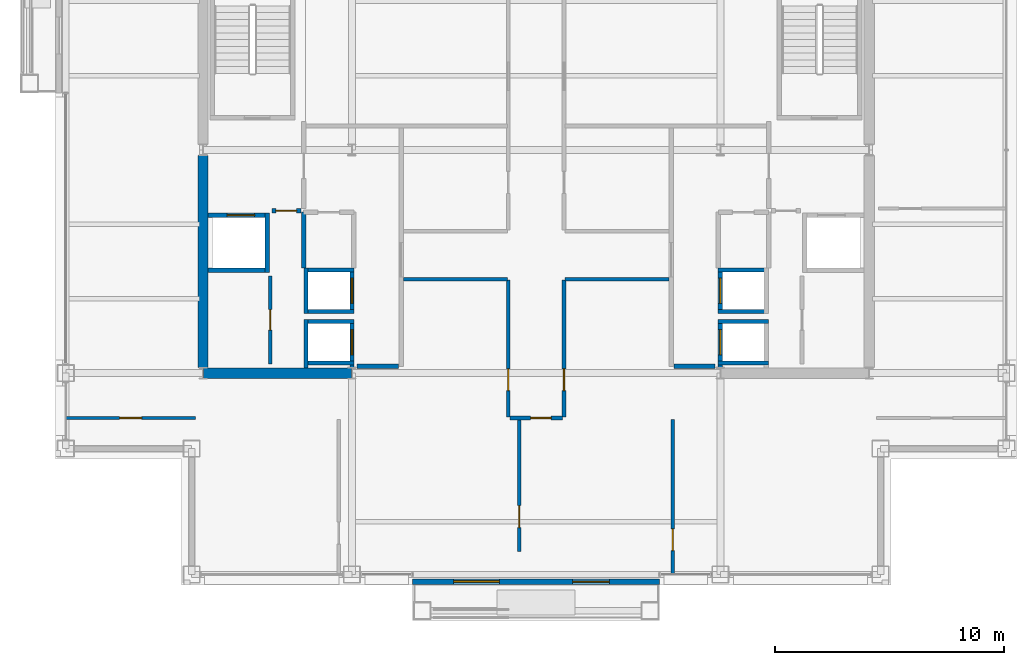
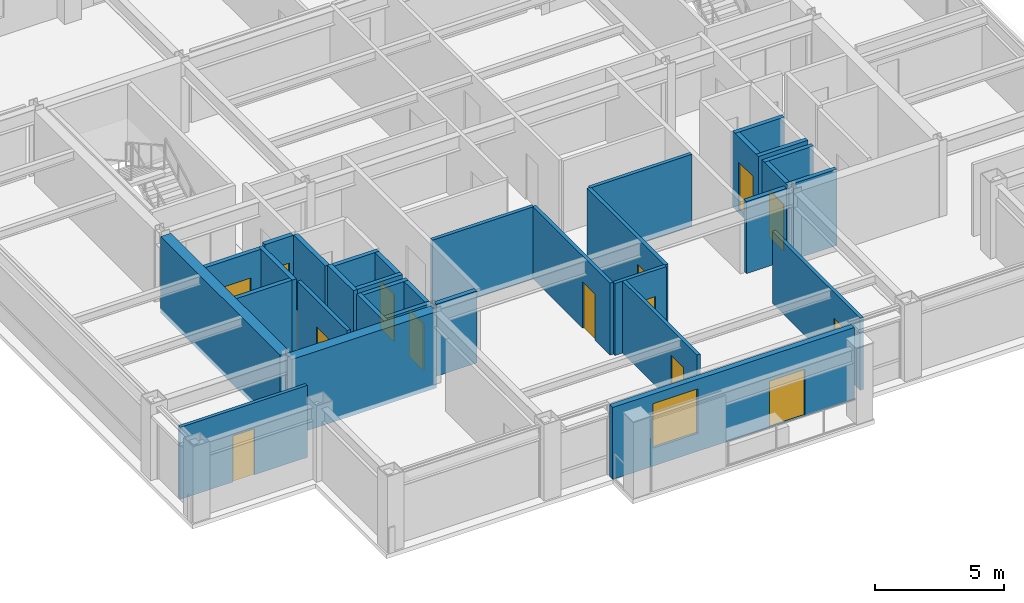
# One storey, part 23 of 27: 33 walls, 14 doors, 1 window, 15 openings.
"""IFC4 building model written with IfcOpenShell, lengths in metres."""

from ifc_helpers import new_model, si_unit, direction, frame, frame_2d, origin, place, context, subcontext, project, spatial, rectangle, extrude, material, layer, layer_set, type_object, element, fill, save


model = new_model("IFC4")

# Units and contexts
model_context = context("Model", 3, precision=1e-05, world=origin(), true_north=direction((0.0, 1.0)))
body_context = subcontext(model_context, "Body", "Model", "MODEL_VIEW")
ifc_project = project(units=[si_unit("LENGTHUNIT", "METRE"), si_unit("AREAUNIT", "SQUARE_METRE"), si_unit("VOLUMEUNIT", "CUBIC_METRE"), si_unit("PLANEANGLEUNIT", "RADIAN"), si_unit("MASSUNIT", "GRAM", prefix="KILO")], contexts=[model_context])

# Site, building, storey
site_placement = place(None, origin())
site = spatial("IfcSite", under=ifc_project, at=site_placement, CompositionType="ELEMENT")
building_placement = place(site_placement, origin())
building = spatial("IfcBuilding", under=site, at=building_placement, Name="Brelmoor Portico Tower", CompositionType="ELEMENT")
storey_placement = place(building_placement, frame((0.0, 0.0, 158.699951171875)))
storey = spatial("IfcBuildingStorey", under=building, at=storey_placement, Name="L41", CompositionType="ELEMENT", Elevation=158.699951171875)

# Walls
ifc_material_1 = material(Name="Concrete C50", Category="concrete")
ifc_layer_1 = layer(ifc_material_1, 0.449951171875)
ifc_layer_set_1 = layer_set([ifc_layer_1], Name="Concrete C50")
wall_type_1 = type_object("IfcWallType", Name="WL-CORE-450", PredefinedType="SHEAR", material=ifc_layer_set_1)
wall_1_placement = place(storey_placement, frame((-14.530029296875, -9.75, -0.199951171875), z_axis=(0.0, 0.0, 1.0), x_axis=(1.0, 0.0, 0.0)))
element("IfcWall", 1, at=wall_1_placement, inside=storey, type_object=wall_type_1, Name="L41 WC South Shear Wall", PredefinedType="SHEAR", context=body_context, shape_type="SweptSolid", body=[
    extrude(rectangle(XDim=6.4599609375, YDim=0.449951171875, at=frame_2d((3.22998046875, 0.0))), origin(), (0.0, 0.0, 1.0), 3.60009765625),
])
wall_2_placement = place(storey_placement, frame((-14.550048828125, -9.5, -0.199951171875), z_axis=(0.0, 0.0, 1.0), x_axis=(0.0, 1.0, 0.0)))
element("IfcWall", 2, at=wall_2_placement, inside=storey, type_object=wall_type_1, Name="L41 WC Outer South Shear Wall", PredefinedType="SHEAR", context=body_context, shape_type="SweptSolid", body=[
    extrude(rectangle(XDim=9.25, YDim=0.449951171875, at=frame_2d((4.625, 0.0))), origin(), (0.0, 0.0, 1.0), 3.60009765625),
])

# Wall, openings, door, window
ifc_material_2 = material(Name="Precast Concrete C40 Insulated Facade Wall", Category="concrete")
ifc_layer_2 = layer(ifc_material_2, 0.25)
ifc_layer_set_2 = layer_set([ifc_layer_2], Name="Precast Concrete C40 Insulated Facade Wall")
wall_type_2 = type_object("IfcWallType", Name="WL-EXT-250", PredefinedType="STANDARD", material=ifc_layer_set_2)
wall_3_placement = place(storey_placement, frame((-5.39990234375, -18.860107421875, 0.0), z_axis=(0.0, 0.0, 1.0), x_axis=(1.0, 0.0, 0.0)))
wall_3 = element("IfcWall", 3, at=wall_3_placement, inside=storey, type_object=wall_type_2, Name="L41 Loggia Threshold Wall S-1", PredefinedType="STANDARD", context=body_context, shape_type="SweptSolid", body=[
    extrude(rectangle(XDim=10.7998046875, YDim=0.25, at=frame_2d((5.39990234375, 0.0))), origin(), (0.0, 0.0, 1.0), 3.400146484375),
])
opening_1_placement = place(wall_3_placement, frame((7.0, 0.0, 0.0)))
opening_1 = element("IfcOpeningElement", 4, at=opening_1_placement, cuts=wall_3, Name="Opening D-TB1", PredefinedType="OPENING", context=body_context, shape_type="SweptSolid", body=[
    extrude(rectangle(XDim=1.60009765625, YDim=2.199951171875, at=frame_2d((0.800048828125, 1.10009765625))), frame((0.0, 0.135009765625, 0.0), z_axis=(0.0, -1.0, 0.0), x_axis=(1.0, 0.0, 0.0)), (0.0, 0.0, 1.0), 0.27001953125),
])
opening_2_placement = place(wall_3_placement, frame((1.800048828125, 0.0, 0.85009765625)))
opening_2 = element("IfcOpeningElement", 5, at=opening_2_placement, cuts=wall_3, Name="Opening W-03", PredefinedType="OPENING", context=body_context, shape_type="SweptSolid", body=[
    extrude(rectangle(XDim=2.0, YDim=2.10009765625, at=frame_2d((1.0, 1.050048828125))), frame((0.0, 0.135009765625, 0.0), z_axis=(0.0, -1.0, 0.0), x_axis=(1.0, 0.0, 0.0)), (0.0, 0.0, 1.0), 0.27001953125),
])
ifc_material_3 = material(Name="Double-Leaf Thermally Broken Terrace Door", Category="aluminium")
door_type_1 = type_object("IfcDoorType", Name="DR-BALCONY-1600", OperationType="NOTDEFINED", PredefinedType="DOOR", material=ifc_material_3)
door_1_placement = place(opening_1_placement, origin())
door_1 = element("IfcDoor", 6, at=door_1_placement, inside=storey, type_object=door_type_1, Name="D-1772 L41 Tree Balcony Double Door S", OperationType="DOUBLE_DOOR_SINGLE_SWING", OverallHeight=2.199951171875, OverallWidth=1.60009765625, PredefinedType="DOOR", context=body_context, shape_type="SweptSolid", body=[
    extrude(rectangle(XDim=1.60009765625, YDim=2.199951171875, at=frame_2d((0.800048828125, 1.10009765625))), frame((0.0, 0.02490234375, 0.0), z_axis=(0.0, -1.0, 0.0), x_axis=(1.0, 0.0, 0.0)), (0.0, 0.0, 1.0), 0.050048828125),
])
fill(opening_1, door_1)
ifc_material_4 = material(Name="Thermally Broken Aluminium Low-E Window", Category="aluminium")
window_type = type_object("IfcWindowType", Name="WN-LOGGIA-2000x2100", PartitioningType="SINGLE_PANEL", PredefinedType="WINDOW", material=ifc_material_4)
window_placement = place(opening_2_placement, origin())
window = element("IfcWindow", 7, at=window_placement, inside=storey, type_object=window_type, Name="L41 Loggia Window S", OverallHeight=2.10009765625, OverallWidth=2.0, PartitioningType="SINGLE_PANEL", PredefinedType="WINDOW", context=body_context, shape_type="SweptSolid", body=[
    extrude(rectangle(XDim=2.0, YDim=2.10009765625, at=frame_2d((1.0, 1.050048828125))), frame((0.0, 0.030029296875, 0.0), z_axis=(0.0, -1.0, 0.0), x_axis=(1.0, 0.0, 0.0)), (0.0, 0.0, 1.0), 0.06005859375),
])
fill(opening_2, window)

# Wall, opening, door
ifc_material_5 = material(Name="Wet-Area Moisture-Resistant Partition", Category="gypsum")
ifc_layer_3 = layer(ifc_material_5, 0.14990234375)
ifc_layer_set_3 = layer_set([ifc_layer_3], Name="Wet-Area Moisture-Resistant Partition")
wall_type_3 = type_object("IfcWallType", Name="WL-PART-150", PredefinedType="PARTITIONING", material=ifc_layer_set_3)
wall_4_placement = place(storey_placement, frame((-0.72998046875, -17.550048828125, 0.0), z_axis=(0.0, 0.0, 1.0), x_axis=(0.0, 1.0, 0.0)))
wall_4 = element("IfcWall", 8, at=wall_4_placement, inside=storey, type_object=wall_type_3, Name="L41 South Suite Partition 2", PredefinedType="PARTITIONING", context=body_context, shape_type="SweptSolid", body=[
    extrude(rectangle(XDim=5.780029296875, YDim=0.14990234375, at=frame_2d((2.89013671875, 0.0))), origin(), (0.0, 0.0, 1.0), 3.400146484375),
])
opening_3_placement = place(wall_4_placement, frame((1.050048828125, 0.0, 0.0)))
opening_3 = element("IfcOpeningElement", 9, at=opening_3_placement, cuts=wall_4, Name="Opening D-IN2", PredefinedType="OPENING", context=body_context, shape_type="SweptSolid", body=[
    extrude(rectangle(XDim=0.9599609375, YDim=2.179931640625, at=frame_2d((0.47998046875, 1.08984375))), frame((0.0, 0.0849609375, 0.0), z_axis=(0.0, -1.0, 0.0), x_axis=(1.0, 0.0, 0.0)), (0.0, 0.0, 1.0), 0.169921875),
])
ifc_material_6 = material(Name="Lacquered Timber Suite Door", Category="wood")
door_type_2 = type_object("IfcDoorType", Name="DR-INT-950", OperationType="NOTDEFINED", PredefinedType="DOOR", material=ifc_material_6)
door_2_placement = place(opening_3_placement, origin())
door_2 = element("IfcDoor", 10, at=door_2_placement, inside=storey, type_object=door_type_2, Name="D-1765 L41 South Suite Connecting Door 2", OperationType="SINGLE_SWING_RIGHT", OverallHeight=2.179931640625, OverallWidth=0.9599609375, PredefinedType="DOOR", context=body_context, shape_type="SweptSolid", body=[
    extrude(rectangle(XDim=0.9599609375, YDim=2.179931640625, at=frame_2d((0.47998046875, 1.08984375))), frame((0.0, 0.02490234375, 0.0), z_axis=(0.0, -1.0, 0.0), x_axis=(1.0, 0.0, 0.0)), (0.0, 0.0, 1.0), 0.050048828125),
])
fill(opening_3, door_2)

wall_5_placement = place(storey_placement, frame((5.969970703125, -18.56005859375, 0.0), z_axis=(0.0, 0.0, 1.0), x_axis=(0.0, 1.0, 0.0)))
wall_5 = element("IfcWall", 11, at=wall_5_placement, inside=storey, type_object=wall_type_3, Name="L41 South Suite Partition 3", PredefinedType="PARTITIONING", context=body_context, shape_type="SweptSolid", body=[
    extrude(rectangle(XDim=6.7900390625, YDim=0.14990234375, at=frame_2d((3.39501953125, 0.0))), origin(), (0.0, 0.0, 1.0), 3.400146484375),
])
opening_4_placement = place(wall_5_placement, frame((1.050048828125, 0.0, 0.0)))
opening_4 = element("IfcOpeningElement", 12, at=opening_4_placement, cuts=wall_5, Name="Opening D-IN2", PredefinedType="OPENING", context=body_context, shape_type="SweptSolid", body=[
    extrude(rectangle(XDim=0.9599609375, YDim=2.179931640625, at=frame_2d((0.47998046875, 1.08984375))), frame((0.0, 0.0849609375, 0.0), z_axis=(0.0, -1.0, 0.0), x_axis=(1.0, 0.0, 0.0)), (0.0, 0.0, 1.0), 0.169921875),
])
door_3_placement = place(opening_4_placement, origin())
door_3 = element("IfcDoor", 13, at=door_3_placement, inside=storey, type_object=door_type_2, Name="D-1766 L41 South Suite Connecting Door 3", OperationType="SINGLE_SWING_LEFT", OverallHeight=2.179931640625, OverallWidth=0.9599609375, PredefinedType="DOOR", context=body_context, shape_type="SweptSolid", body=[
    extrude(rectangle(XDim=0.9599609375, YDim=2.179931640625, at=frame_2d((0.47998046875, 1.08984375))), frame((0.0, 0.02490234375, 0.0), z_axis=(0.0, -1.0, 0.0), x_axis=(1.0, 0.0, 0.0)), (0.0, 0.0, 1.0), 0.050048828125),
])
fill(opening_4, door_3)

wall_6_placement = place(storey_placement, frame((-20.56005859375, -11.7099609375, 0.0), z_axis=(0.0, 0.0, 1.0), x_axis=(1.0, 0.0, 0.0)))
wall_6 = element("IfcWall", 14, at=wall_6_placement, inside=storey, type_object=wall_type_3, Name="L41 South Wing Closure WL", PredefinedType="PARTITIONING", context=body_context, shape_type="SweptSolid", body=[
    extrude(rectangle(XDim=5.68017578125, YDim=0.14990234375, at=frame_2d((2.840087890625, 0.0))), origin(), (0.0, 0.0, 1.0), 3.400146484375),
])
opening_5_placement = place(wall_6_placement, frame((2.360107421875, 0.0, 0.0)))
opening_5 = element("IfcOpeningElement", 15, at=opening_5_placement, cuts=wall_6, Name="Opening D-IN2", PredefinedType="OPENING", context=body_context, shape_type="SweptSolid", body=[
    extrude(rectangle(XDim=0.9599609375, YDim=2.179931640625, at=frame_2d((0.47998046875, 1.08984375))), frame((0.0, 0.0849609375, 0.0), z_axis=(0.0, -1.0, 0.0), x_axis=(1.0, 0.0, 0.0)), (0.0, 0.0, 1.0), 0.169921875),
])
door_4_placement = place(opening_5_placement, origin())
door_4 = element("IfcDoor", 16, at=door_4_placement, inside=storey, type_object=door_type_2, Name="D-1770 L41 WL Wing South Suite Door", OperationType="SINGLE_SWING_LEFT", OverallHeight=2.179931640625, OverallWidth=0.9599609375, PredefinedType="DOOR", context=body_context, shape_type="SweptSolid", body=[
    extrude(rectangle(XDim=0.9599609375, YDim=2.179931640625, at=frame_2d((0.47998046875, 1.08984375))), frame((0.0, 0.02490234375, 0.0), z_axis=(0.0, -1.0, 0.0), x_axis=(1.0, 0.0, 0.0)), (0.0, 0.0, 1.0), 0.050048828125),
])
fill(opening_5, door_4)

ifc_material_7 = material(Name="Twin-Frame Acoustic Partition", Category="gypsum")
ifc_layer_4 = layer(ifc_material_7, 0.159912109375)
ifc_layer_set_4 = layer_set([ifc_layer_4], Name="Twin-Frame Acoustic Partition")
wall_type_4 = type_object("IfcWallType", Name="WL-PART-160", PredefinedType="PARTITIONING", material=ifc_layer_set_4)
wall_7_placement = place(storey_placement, frame((-11.6201171875, -9.35009765625, 0.0), z_axis=(0.0, 0.0, 1.0), x_axis=(0.0, 1.0, 0.0)))
wall_7 = element("IfcWall", 17, at=wall_7_placement, inside=storey, type_object=wall_type_4, Name="L41 W Core Service Front Wall", PredefinedType="PARTITIONING", context=body_context, shape_type="SweptSolid", body=[
    extrude(rectangle(XDim=3.85009765625, YDim=0.159912109375, at=frame_2d((1.925048828125, 0.0))), origin(), (0.0, 0.0, 1.0), 3.400146484375),
])
opening_6_placement = place(wall_7_placement, frame((1.47509765625, 0.0, 0.0)))
opening_6 = element("IfcOpeningElement", 18, at=opening_6_placement, cuts=wall_7, Name="Opening D-IN1", PredefinedType="OPENING", context=body_context, shape_type="SweptSolid", body=[
    extrude(rectangle(XDim=0.89990234375, YDim=2.14990234375, at=frame_2d((0.449951171875, 1.074951171875))), frame((0.0, 0.08984375, 0.0), z_axis=(0.0, -1.0, 0.0), x_axis=(1.0, 0.0, 0.0)), (0.0, 0.0, 1.0), 0.179931640625),
])
door_type_3 = type_object("IfcDoorType", Name="DR-INT-900", OperationType="NOTDEFINED", PredefinedType="DOOR", material=ifc_material_6)
door_5_placement = place(opening_6_placement, origin())
door_5 = element("IfcDoor", 19, at=door_5_placement, inside=storey, type_object=door_type_3, Name="D-1752 L41 W Accessible WC Door", OperationType="SINGLE_SWING_RIGHT", OverallHeight=2.14990234375, OverallWidth=0.89990234375, PredefinedType="DOOR", context=body_context, shape_type="SweptSolid", body=[
    extrude(rectangle(XDim=0.89990234375, YDim=2.14990234375, at=frame_2d((0.449951171875, 1.074951171875))), frame((0.0, 0.02490234375, 0.0), z_axis=(0.0, -1.0, 0.0), x_axis=(1.0, 0.0, 0.0)), (0.0, 0.0, 1.0), 0.050048828125),
])
fill(opening_6, door_5)

wall_8_placement = place(storey_placement, frame((-1.219970703125, -11.669921875, 0.0), z_axis=(0.0, 0.0, 1.0), x_axis=(0.0, 1.0, 0.0)))
wall_8 = element("IfcWall", 20, at=wall_8_placement, inside=storey, type_object=wall_type_4, Name="L41 South Cross West Wall", PredefinedType="PARTITIONING", context=body_context, shape_type="SweptSolid", body=[
    extrude(rectangle(XDim=5.989990234375, YDim=0.159912109375, at=frame_2d((2.9951171875, 0.0))), origin(), (0.0, 0.0, 1.0), 3.400146484375),
])
opening_7_placement = place(wall_8_placement, frame((1.14990234375, 0.0, 0.0)))
opening_7 = element("IfcOpeningElement", 21, at=opening_7_placement, cuts=wall_8, Name="Opening D-IN2", PredefinedType="OPENING", context=body_context, shape_type="SweptSolid", body=[
    extrude(rectangle(XDim=0.9599609375, YDim=2.179931640625, at=frame_2d((0.47998046875, 1.08984375))), frame((0.0, 0.08984375, 0.0), z_axis=(0.0, -1.0, 0.0), x_axis=(1.0, 0.0, 0.0)), (0.0, 0.0, 1.0), 0.179931640625),
])
door_6_placement = place(opening_7_placement, origin())
door_6 = element("IfcDoor", 22, at=door_6_placement, inside=storey, type_object=door_type_2, Name="D-1746 L41 South-West Archive Room Door", OperationType="SINGLE_SWING_LEFT", OverallHeight=2.179931640625, OverallWidth=0.9599609375, PredefinedType="DOOR", context=body_context, shape_type="SweptSolid", body=[
    extrude(rectangle(XDim=0.9599609375, YDim=2.179931640625, at=frame_2d((0.47998046875, 1.08984375))), frame((0.0, 0.02490234375, 0.0), z_axis=(0.0, -1.0, 0.0), x_axis=(1.0, 0.0, 0.0)), (0.0, 0.0, 1.0), 0.050048828125),
])
fill(opening_7, door_6)

wall_9_placement = place(storey_placement, frame((1.219970703125, -11.669921875, 0.0), z_axis=(0.0, 0.0, 1.0), x_axis=(0.0, 1.0, 0.0)))
wall_9 = element("IfcWall", 23, at=wall_9_placement, inside=storey, type_object=wall_type_4, Name="L41 South Cross East Wall", PredefinedType="PARTITIONING", context=body_context, shape_type="SweptSolid", body=[
    extrude(rectangle(XDim=5.989990234375, YDim=0.159912109375, at=frame_2d((2.9951171875, 0.0))), origin(), (0.0, 0.0, 1.0), 3.400146484375),
])
opening_8_placement = place(wall_9_placement, frame((1.14990234375, 0.0, 0.0)))
opening_8 = element("IfcOpeningElement", 24, at=opening_8_placement, cuts=wall_9, Name="Opening D-IN2", PredefinedType="OPENING", context=body_context, shape_type="SweptSolid", body=[
    extrude(rectangle(XDim=0.9599609375, YDim=2.179931640625, at=frame_2d((0.47998046875, 1.08984375))), frame((0.0, 0.08984375, 0.0), z_axis=(0.0, -1.0, 0.0), x_axis=(1.0, 0.0, 0.0)), (0.0, 0.0, 1.0), 0.179931640625),
])
door_7_placement = place(opening_8_placement, origin())
door_7 = element("IfcDoor", 25, at=door_7_placement, inside=storey, type_object=door_type_2, Name="D-1745 L41 South-East Partner Office Door", OperationType="SINGLE_SWING_RIGHT", OverallHeight=2.179931640625, OverallWidth=0.9599609375, PredefinedType="DOOR", context=body_context, shape_type="SweptSolid", body=[
    extrude(rectangle(XDim=0.9599609375, YDim=2.179931640625, at=frame_2d((0.47998046875, 1.08984375))), frame((0.0, 0.02490234375, 0.0), z_axis=(0.0, -1.0, 0.0), x_axis=(1.0, 0.0, 0.0)), (0.0, 0.0, 1.0), 0.050048828125),
])
fill(opening_8, door_7)

# Walls
for number, where, z_axis, x_axis, name in (
    (26, (-5.800048828125, -5.64990234375, 0.0), (0.0, 0.0, 1.0), (1.0, 0.0, 0.0), "L41 South-West Chamber Top Wall"),
    (27, (1.260009765625, -5.64990234375, 0.0), (0.0, 0.0, 1.0), (1.0, 0.0, 0.0), "L41 South-East Chamber Top Wall"),
):
    element("IfcWall", number, at=place(storey_placement, frame(where, z_axis=z_axis, x_axis=x_axis)), inside=storey, type_object=wall_type_4, Name=name, PredefinedType="PARTITIONING", context=body_context, shape_type="SweptSolid", body=[
        extrude(rectangle(XDim=4.5400390625, YDim=0.159912109375, at=frame_2d((2.27001953125, 0.0))), origin(), (0.0, 0.0, 1.0), 3.400146484375),
    ])

# Wall, opening, door
wall_10_placement = place(storey_placement, frame((-1.14990234375, -11.7099609375, 0.0), z_axis=(0.0, 0.0, 1.0), x_axis=(1.0, 0.0, 0.0)))
wall_10 = element("IfcWall", 28, at=wall_10_placement, inside=storey, type_object=wall_type_4, Name="L41 South Corridor Partition", PredefinedType="PARTITIONING", context=body_context, shape_type="SweptSolid", body=[
    extrude(rectangle(XDim=2.2998046875, YDim=0.159912109375, at=frame_2d((1.14990234375, 0.0))), origin(), (0.0, 0.0, 1.0), 3.400146484375),
])
opening_9_placement = place(wall_10_placement, frame((0.909912109375, 0.0, 0.0)))
opening_9 = element("IfcOpeningElement", 29, at=opening_9_placement, cuts=wall_10, Name="Opening D-IN1", PredefinedType="OPENING", context=body_context, shape_type="SweptSolid", body=[
    extrude(rectangle(XDim=0.89990234375, YDim=2.14990234375, at=frame_2d((0.449951171875, 1.074951171875))), frame((0.0, 0.08984375, 0.0), z_axis=(0.0, -1.0, 0.0), x_axis=(1.0, 0.0, 0.0)), (0.0, 0.0, 1.0), 0.179931640625),
])
door_8_placement = place(opening_9_placement, origin())
door_8 = element("IfcDoor", 30, at=door_8_placement, inside=storey, type_object=door_type_3, Name="D-1763 L41 South Reading Library 3 Door", OperationType="SINGLE_SWING_RIGHT", OverallHeight=2.14990234375, OverallWidth=0.89990234375, PredefinedType="DOOR", context=body_context, shape_type="SweptSolid", body=[
    extrude(rectangle(XDim=0.89990234375, YDim=2.14990234375, at=frame_2d((0.449951171875, 1.074951171875))), frame((0.0, 0.02490234375, 0.0), z_axis=(0.0, -1.0, 0.0), x_axis=(1.0, 0.0, 0.0)), (0.0, 0.0, 1.0), 0.050048828125),
])
fill(opening_9, door_8)

# Wall
ifc_material_8 = material(Name="Double-Stud Gypsum Fire Partition", Category="gypsum")
ifc_layer_5 = layer(ifc_material_8, 0.199951171875)
ifc_layer_set_5 = layer_set([ifc_layer_5], Name="Double-Stud Gypsum Fire Partition")
wall_type_5 = type_object("IfcWallType", Name="WL-PART-200", PredefinedType="PARTITIONING", material=ifc_layer_set_5)
wall_11_placement = place(storey_placement, frame((-6.02001953125, -9.449951171875, 0.0), z_axis=(0.0, 0.0, 1.0), x_axis=(-1.0, 0.0, 0.0)))
element("IfcWall", 31, at=wall_11_placement, inside=storey, type_object=wall_type_5, Name="L41 W Lift Lobby South End Wall", PredefinedType="PARTITIONING", context=body_context, shape_type="SweptSolid", body=[
    extrude(rectangle(XDim=1.800048828125, YDim=0.199951171875, at=frame_2d((0.89990234375, 0.0))), origin(), (0.0, 0.0, 1.0), 3.400146484375),
])

# Wall, opening, door
wall_12_placement = place(storey_placement, frame((-10.280029296875, -2.64990234375, 0.0), z_axis=(0.0, 0.0, 1.0), x_axis=(-1.0, 0.0, 0.0)))
wall_12 = element("IfcWall", 32, at=wall_12_placement, inside=storey, type_object=wall_type_5, Name="L41 W Firefighting Lobby South Wall", PredefinedType="PARTITIONING", context=body_context, shape_type="SweptSolid", body=[
    extrude(rectangle(XDim=1.27001953125, YDim=0.199951171875, at=frame_2d((0.635009765625, 0.0))), origin(), (0.0, 0.0, 1.0), 3.400146484375),
])
opening_10_placement = place(wall_12_placement, frame((0.18505859375, 0.0, 0.0)))
opening_10 = element("IfcOpeningElement", 33, at=opening_10_placement, cuts=wall_12, Name="Opening D-IN1", PredefinedType="OPENING", context=body_context, shape_type="SweptSolid", body=[
    extrude(rectangle(XDim=0.89990234375, YDim=2.14990234375, at=frame_2d((0.449951171875, 1.074951171875))), frame((0.0, 0.10986328125, 0.0), z_axis=(0.0, -1.0, 0.0), x_axis=(1.0, 0.0, 0.0)), (0.0, 0.0, 1.0), 0.219970703125),
])
door_9_placement = place(opening_10_placement, origin())
door_9 = element("IfcDoor", 34, at=door_9_placement, inside=storey, type_object=door_type_3, Name="D-1751 L41 W Core Service Vestibule Door", OperationType="SINGLE_SWING_RIGHT", OverallHeight=2.14990234375, OverallWidth=0.89990234375, PredefinedType="DOOR", context=body_context, shape_type="SweptSolid", body=[
    extrude(rectangle(XDim=0.89990234375, YDim=2.14990234375, at=frame_2d((0.449951171875, 1.074951171875))), frame((0.0, 0.02490234375, 0.0), z_axis=(0.0, -1.0, 0.0), x_axis=(1.0, 0.0, 0.0)), (0.0, 0.0, 1.0), 0.050048828125),
])
fill(opening_10, door_9)

# Walls
wall_13_placement = place(storey_placement, frame((-10.159912109375, -5.159912109375, 0.0), z_axis=(0.0, 0.0, 1.0), x_axis=(0.0, 1.0, 0.0)))
element("IfcWall", 35, at=wall_13_placement, inside=storey, type_object=wall_type_5, Name="L41 W Electrical Switchgear Closet Outer Wall", PredefinedType="PARTITIONING", context=body_context, shape_type="SweptSolid", body=[
    extrude(rectangle(XDim=2.43994140625, YDim=0.199951171875, at=frame_2d((1.219970703125, 0.0))), origin(), (0.0, 0.0, 1.0), 3.400146484375),
])
wall_14_placement = place(storey_placement, frame((6.02001953125, -9.449951171875, 0.0), z_axis=(0.0, 0.0, 1.0), x_axis=(1.0, 0.0, 0.0)))
element("IfcWall", 36, at=wall_14_placement, inside=storey, type_object=wall_type_5, Name="L41 E Lift Lobby South End Wall", PredefinedType="PARTITIONING", context=body_context, shape_type="SweptSolid", body=[
    extrude(rectangle(XDim=1.800048828125, YDim=0.199951171875, at=frame_2d((0.89990234375, 0.0))), origin(), (0.0, 0.0, 1.0), 3.400146484375),
])

# Wall, opening, door
ifc_material_9 = material(Name="Precast Concrete C40", Category="concrete")
ifc_layer_6 = layer(ifc_material_9, 0.18994140625)
ifc_layer_set_6 = layer_set([ifc_layer_6], Name="Precast Concrete C40")
wall_type_6 = type_object("IfcWallType", Name="WL-SHAFT-180", PredefinedType="SOLIDWALL", material=ifc_layer_set_6)
wall_15_placement = place(storey_placement, frame((-8.044921875, -9.52001953125, -0.199951171875), z_axis=(0.0, 0.0, 1.0), x_axis=(0.0, 1.0, 0.0)))
wall_15 = element("IfcWall", 37, at=wall_15_placement, inside=storey, type_object=wall_type_6, Name="L41 Lift PH1 Hoistway Front Wall", PredefinedType="SOLIDWALL", context=body_context, shape_type="SweptSolid", body=[
    extrude(rectangle(XDim=2.1201171875, YDim=0.18994140625, at=frame_2d((1.06005859375, 0.0))), origin(), (0.0, 0.0, 1.0), 3.60009765625),
])
opening_11_placement = place(wall_15_placement, frame((0.570068359375, 0.0, 0.199951171875)))
opening_11 = element("IfcOpeningElement", 38, at=opening_11_placement, cuts=wall_15, Name="Opening LD-01", PredefinedType="OPENING", context=body_context, shape_type="SweptSolid", body=[
    extrude(rectangle(XDim=1.10009765625, YDim=2.199951171875, at=frame_2d((0.550048828125, 1.10009765625))), frame((0.0, 0.10498046875, 0.0), z_axis=(0.0, -1.0, 0.0), x_axis=(1.0, 0.0, 0.0)), (0.0, 0.0, 1.0), 0.2099609375),
])
ifc_material_10 = material(Name="Brushed Stainless Steel Sliding Lift Door", Category="steel")
door_type_4 = type_object("IfcDoorType", Name="DR-LIFT-1100", OperationType="NOTDEFINED", PredefinedType="DOOR", material=ifc_material_10)
door_10_placement = place(opening_11_placement, origin())
door_10 = element("IfcDoor", 39, at=door_10_placement, inside=storey, type_object=door_type_4, Name="D-1777 L41 Lift PH1 Sliding Landing Door", OperationType="SLIDING_TO_LEFT", OverallHeight=2.199951171875, OverallWidth=1.10009765625, PredefinedType="DOOR", context=body_context, shape_type="SweptSolid", body=[
    extrude(rectangle(XDim=1.10009765625, YDim=2.199951171875, at=frame_2d((0.550048828125, 1.10009765625))), frame((0.0, 0.02490234375, 0.0), z_axis=(0.0, -1.0, 0.0), x_axis=(1.0, 0.0, 0.0)), (0.0, 0.0, 1.0), 0.050048828125),
])
fill(opening_11, door_10)

# Walls
wall_16_placement = place(storey_placement, frame((-10.054931640625, -9.52001953125, -0.199951171875), z_axis=(0.0, 0.0, 1.0), x_axis=(0.0, 1.0, 0.0)))
element("IfcWall", 40, at=wall_16_placement, inside=storey, type_object=wall_type_6, Name="L41 Lift PH1 Hoistway Back Wall", PredefinedType="SOLIDWALL", context=body_context, shape_type="SweptSolid", body=[
    extrude(rectangle(XDim=2.1201171875, YDim=0.18994140625, at=frame_2d((1.06005859375, 0.0))), origin(), (0.0, 0.0, 1.0), 3.60009765625),
])
for number, where, z_axis, x_axis, name in (
    (41, (-10.14990234375, -7.4951171875, -0.199951171875), (0.0, 0.0, 1.0), (1.0, 0.0, 0.0), "L41 Lift PH1 Hoistway North Wall"),
    (42, (-10.14990234375, -9.304931640625, -0.199951171875), (0.0, 0.0, 1.0), (1.0, 0.0, 0.0), "L41 Lift PH1 Hoistway South Wall"),
):
    element("IfcWall", number, at=place(storey_placement, frame(where, z_axis=z_axis, x_axis=x_axis)), inside=storey, type_object=wall_type_6, Name=name, PredefinedType="SOLIDWALL", context=body_context, shape_type="SweptSolid", body=[
        extrude(rectangle(XDim=2.199951171875, YDim=0.18994140625, at=frame_2d((1.10009765625, 0.0))), origin(), (0.0, 0.0, 1.0), 3.60009765625),
    ])

# Wall, opening, door
wall_17_placement = place(storey_placement, frame((-8.044921875, -7.14990234375, -0.199951171875), z_axis=(0.0, 0.0, 1.0), x_axis=(0.0, 1.0, 0.0)))
wall_17 = element("IfcWall", 43, at=wall_17_placement, inside=storey, type_object=wall_type_6, Name="L41 Lift PH2 Hoistway Front Wall", PredefinedType="SOLIDWALL", context=body_context, shape_type="SweptSolid", body=[
    extrude(rectangle(XDim=2.0, YDim=0.18994140625, at=frame_2d((1.0, 0.0))), origin(), (0.0, 0.0, 1.0), 3.60009765625),
])
opening_12_placement = place(wall_17_placement, frame((0.449951171875, 0.0, 0.199951171875)))
opening_12 = element("IfcOpeningElement", 44, at=opening_12_placement, cuts=wall_17, Name="Opening LD-01", PredefinedType="OPENING", context=body_context, shape_type="SweptSolid", body=[
    extrude(rectangle(XDim=1.10009765625, YDim=2.199951171875, at=frame_2d((0.550048828125, 1.10009765625))), frame((0.0, 0.10498046875, 0.0), z_axis=(0.0, -1.0, 0.0), x_axis=(1.0, 0.0, 0.0)), (0.0, 0.0, 1.0), 0.2099609375),
])
door_11_placement = place(opening_12_placement, origin())
door_11 = element("IfcDoor", 45, at=door_11_placement, inside=storey, type_object=door_type_4, Name="D-1778 L41 Lift PH2 Sliding Landing Door", OperationType="SLIDING_TO_LEFT", OverallHeight=2.199951171875, OverallWidth=1.10009765625, PredefinedType="DOOR", context=body_context, shape_type="SweptSolid", body=[
    extrude(rectangle(XDim=1.10009765625, YDim=2.199951171875, at=frame_2d((0.550048828125, 1.10009765625))), frame((0.0, 0.02490234375, 0.0), z_axis=(0.0, -1.0, 0.0), x_axis=(1.0, 0.0, 0.0)), (0.0, 0.0, 1.0), 0.050048828125),
])
fill(opening_12, door_11)

# Walls
wall_18_placement = place(storey_placement, frame((-10.054931640625, -7.14990234375, -0.199951171875), z_axis=(0.0, 0.0, 1.0), x_axis=(0.0, 1.0, 0.0)))
element("IfcWall", 46, at=wall_18_placement, inside=storey, type_object=wall_type_6, Name="L41 Lift PH2 Hoistway Back Wall", PredefinedType="SOLIDWALL", context=body_context, shape_type="SweptSolid", body=[
    extrude(rectangle(XDim=2.0, YDim=0.18994140625, at=frame_2d((1.0, 0.0))), origin(), (0.0, 0.0, 1.0), 3.60009765625),
])
for number, where, z_axis, x_axis, name in (
    (47, (-10.14990234375, -5.2451171875, -0.199951171875), (0.0, 0.0, 1.0), (1.0, 0.0, 0.0), "L41 Lift PH2 Hoistway North Wall"),
    (48, (-10.14990234375, -7.054931640625, -0.199951171875), (0.0, 0.0, 1.0), (1.0, 0.0, 0.0), "L41 Lift PH2 Hoistway South Wall"),
):
    element("IfcWall", number, at=place(storey_placement, frame(where, z_axis=z_axis, x_axis=x_axis)), inside=storey, type_object=wall_type_6, Name=name, PredefinedType="SOLIDWALL", context=body_context, shape_type="SweptSolid", body=[
        extrude(rectangle(XDim=2.199951171875, YDim=0.18994140625, at=frame_2d((1.10009765625, 0.0))), origin(), (0.0, 0.0, 1.0), 3.60009765625),
    ])

# Wall, opening, door
wall_19_placement = place(storey_placement, frame((8.044921875, -9.52001953125, -0.199951171875), z_axis=(0.0, 0.0, 1.0), x_axis=(0.0, 1.0, 0.0)))
wall_19 = element("IfcWall", 49, at=wall_19_placement, inside=storey, type_object=wall_type_6, Name="L41 Lift PH3 Hoistway Front Wall", PredefinedType="SOLIDWALL", context=body_context, shape_type="SweptSolid", body=[
    extrude(rectangle(XDim=2.1201171875, YDim=0.18994140625, at=frame_2d((1.06005859375, 0.0))), origin(), (0.0, 0.0, 1.0), 3.60009765625),
])
opening_13_placement = place(wall_19_placement, frame((0.570068359375, 0.0, 0.199951171875)))
opening_13 = element("IfcOpeningElement", 50, at=opening_13_placement, cuts=wall_19, Name="Opening LD-01", PredefinedType="OPENING", context=body_context, shape_type="SweptSolid", body=[
    extrude(rectangle(XDim=1.10009765625, YDim=2.199951171875, at=frame_2d((0.550048828125, 1.10009765625))), frame((0.0, 0.10498046875, 0.0), z_axis=(0.0, -1.0, 0.0), x_axis=(1.0, 0.0, 0.0)), (0.0, 0.0, 1.0), 0.2099609375),
])
door_12_placement = place(opening_13_placement, origin())
door_12 = element("IfcDoor", 51, at=door_12_placement, inside=storey, type_object=door_type_4, Name="D-1779 L41 Lift PH3 Sliding Landing Door", OperationType="SLIDING_TO_LEFT", OverallHeight=2.199951171875, OverallWidth=1.10009765625, PredefinedType="DOOR", context=body_context, shape_type="SweptSolid", body=[
    extrude(rectangle(XDim=1.10009765625, YDim=2.199951171875, at=frame_2d((0.550048828125, 1.10009765625))), frame((0.0, 0.02490234375, 0.0), z_axis=(0.0, -1.0, 0.0), x_axis=(1.0, 0.0, 0.0)), (0.0, 0.0, 1.0), 0.050048828125),
])
fill(opening_13, door_12)

# Walls
for number, where, z_axis, x_axis, name in (
    (52, (7.949951171875, -7.4951171875, -0.199951171875), (0.0, 0.0, 1.0), (1.0, 0.0, 0.0), "L41 Lift PH3 Hoistway North Wall"),
    (53, (7.949951171875, -9.304931640625, -0.199951171875), (0.0, 0.0, 1.0), (1.0, 0.0, 0.0), "L41 Lift PH3 Hoistway South Wall"),
):
    element("IfcWall", number, at=place(storey_placement, frame(where, z_axis=z_axis, x_axis=x_axis)), inside=storey, type_object=wall_type_6, Name=name, PredefinedType="SOLIDWALL", context=body_context, shape_type="SweptSolid", body=[
        extrude(rectangle(XDim=2.199951171875, YDim=0.18994140625, at=frame_2d((1.10009765625, 0.0))), origin(), (0.0, 0.0, 1.0), 3.60009765625),
    ])

# Wall, opening, door
wall_20_placement = place(storey_placement, frame((8.044921875, -7.14990234375, -0.199951171875), z_axis=(0.0, 0.0, 1.0), x_axis=(0.0, 1.0, 0.0)))
wall_20 = element("IfcWall", 54, at=wall_20_placement, inside=storey, type_object=wall_type_6, Name="L41 Lift PH4 Hoistway Front Wall", PredefinedType="SOLIDWALL", context=body_context, shape_type="SweptSolid", body=[
    extrude(rectangle(XDim=2.0, YDim=0.18994140625, at=frame_2d((1.0, 0.0))), origin(), (0.0, 0.0, 1.0), 3.60009765625),
])
opening_14_placement = place(wall_20_placement, frame((0.449951171875, 0.0, 0.199951171875)))
opening_14 = element("IfcOpeningElement", 55, at=opening_14_placement, cuts=wall_20, Name="Opening LD-01", PredefinedType="OPENING", context=body_context, shape_type="SweptSolid", body=[
    extrude(rectangle(XDim=1.10009765625, YDim=2.199951171875, at=frame_2d((0.550048828125, 1.10009765625))), frame((0.0, 0.10498046875, 0.0), z_axis=(0.0, -1.0, 0.0), x_axis=(1.0, 0.0, 0.0)), (0.0, 0.0, 1.0), 0.2099609375),
])
door_13_placement = place(opening_14_placement, origin())
door_13 = element("IfcDoor", 56, at=door_13_placement, inside=storey, type_object=door_type_4, Name="D-1780 L41 Lift PH4 Sliding Landing Door", OperationType="SLIDING_TO_LEFT", OverallHeight=2.199951171875, OverallWidth=1.10009765625, PredefinedType="DOOR", context=body_context, shape_type="SweptSolid", body=[
    extrude(rectangle(XDim=1.10009765625, YDim=2.199951171875, at=frame_2d((0.550048828125, 1.10009765625))), frame((0.0, 0.02490234375, 0.0), z_axis=(0.0, -1.0, 0.0), x_axis=(1.0, 0.0, 0.0)), (0.0, 0.0, 1.0), 0.050048828125),
])
fill(opening_14, door_13)

# Walls
for number, where, z_axis, x_axis, name in (
    (57, (7.949951171875, -5.2451171875, -0.199951171875), (0.0, 0.0, 1.0), (1.0, 0.0, 0.0), "L41 Lift PH4 Hoistway North Wall"),
    (58, (7.949951171875, -7.054931640625, -0.199951171875), (0.0, 0.0, 1.0), (1.0, 0.0, 0.0), "L41 Lift PH4 Hoistway South Wall"),
):
    element("IfcWall", number, at=place(storey_placement, frame(where, z_axis=z_axis, x_axis=x_axis)), inside=storey, type_object=wall_type_6, Name=name, PredefinedType="SOLIDWALL", context=body_context, shape_type="SweptSolid", body=[
        extrude(rectangle(XDim=2.199951171875, YDim=0.18994140625, at=frame_2d((1.10009765625, 0.0))), origin(), (0.0, 0.0, 1.0), 3.60009765625),
    ])

# Wall, opening, door
wall_21_placement = place(storey_placement, frame((-14.330078125, -2.844970703125, -0.199951171875), z_axis=(0.0, 0.0, 1.0), x_axis=(1.0, 0.0, 0.0)))
wall_21 = element("IfcWall", 59, at=wall_21_placement, inside=storey, type_object=wall_type_6, Name="L41 Lift FF1 Hoistway Front Wall", PredefinedType="SOLIDWALL", context=body_context, shape_type="SweptSolid", body=[
    extrude(rectangle(XDim=2.68017578125, YDim=0.18994140625, at=frame_2d((1.340087890625, 0.0))), origin(), (0.0, 0.0, 1.0), 3.60009765625),
])
opening_15_placement = place(wall_21_placement, frame((0.830078125, 0.0, 0.199951171875)))
opening_15 = element("IfcOpeningElement", 60, at=opening_15_placement, cuts=wall_21, Name="Opening LD-02", PredefinedType="OPENING", context=body_context, shape_type="SweptSolid", body=[
    extrude(rectangle(XDim=1.199951171875, YDim=2.199951171875, at=frame_2d((0.60009765625, 1.10009765625))), frame((0.0, 0.10498046875, 0.0), z_axis=(0.0, -1.0, 0.0), x_axis=(1.0, 0.0, 0.0)), (0.0, 0.0, 1.0), 0.2099609375),
])
ifc_material_11 = material(Name="Brushed Stainless Steel Firefighting Lift Door", Category="steel")
door_type_5 = type_object("IfcDoorType", Name="DR-LIFT-1200", OperationType="NOTDEFINED", PredefinedType="DOOR", material=ifc_material_11)
door_14_placement = place(opening_15_placement, origin())
door_14 = element("IfcDoor", 61, at=door_14_placement, inside=storey, type_object=door_type_5, Name="D-1775 L41 Lift FF1 Sliding Landing Door", OperationType="SLIDING_TO_LEFT", OverallHeight=2.199951171875, OverallWidth=1.199951171875, PredefinedType="DOOR", context=body_context, shape_type="SweptSolid", body=[
    extrude(rectangle(XDim=1.199951171875, YDim=2.199951171875, at=frame_2d((0.60009765625, 1.10009765625))), frame((0.0, 0.02490234375, 0.0), z_axis=(0.0, -1.0, 0.0), x_axis=(1.0, 0.0, 0.0)), (0.0, 0.0, 1.0), 0.050048828125),
])
fill(opening_15, door_14)

# Walls
wall_22_placement = place(storey_placement, frame((-14.330078125, -5.2548828125, -0.199951171875), z_axis=(0.0, 0.0, 1.0), x_axis=(1.0, 0.0, 0.0)))
element("IfcWall", 62, at=wall_22_placement, inside=storey, type_object=wall_type_6, Name="L41 Firefighting Lift FF1 South Wall", PredefinedType="SOLIDWALL", context=body_context, shape_type="SweptSolid", body=[
    extrude(rectangle(XDim=2.68017578125, YDim=0.18994140625, at=frame_2d((1.340087890625, 0.0))), origin(), (0.0, 0.0, 1.0), 3.60009765625),
])
wall_23_placement = place(storey_placement, frame((-11.7451171875, -5.35009765625, -0.199951171875), z_axis=(0.0, 0.0, 1.0), x_axis=(0.0, 1.0, 0.0)))
element("IfcWall", 63, at=wall_23_placement, inside=storey, type_object=wall_type_6, Name="L41 Firefighting Lift FF1 Inner Wall", PredefinedType="SOLIDWALL", context=body_context, shape_type="SweptSolid", body=[
    extrude(rectangle(XDim=2.60009765625, YDim=0.18994140625, at=frame_2d((1.300048828125, 0.0))), origin(), (0.0, 0.0, 1.0), 3.60009765625),
])

save(model, "model.ifc")
